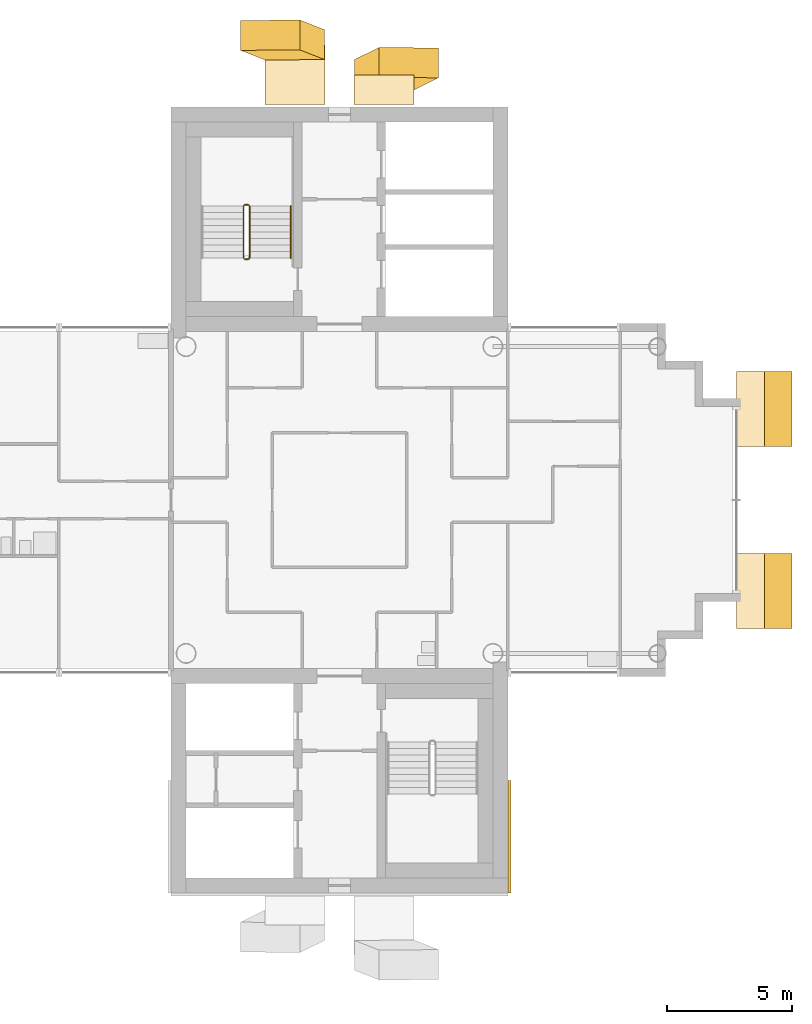
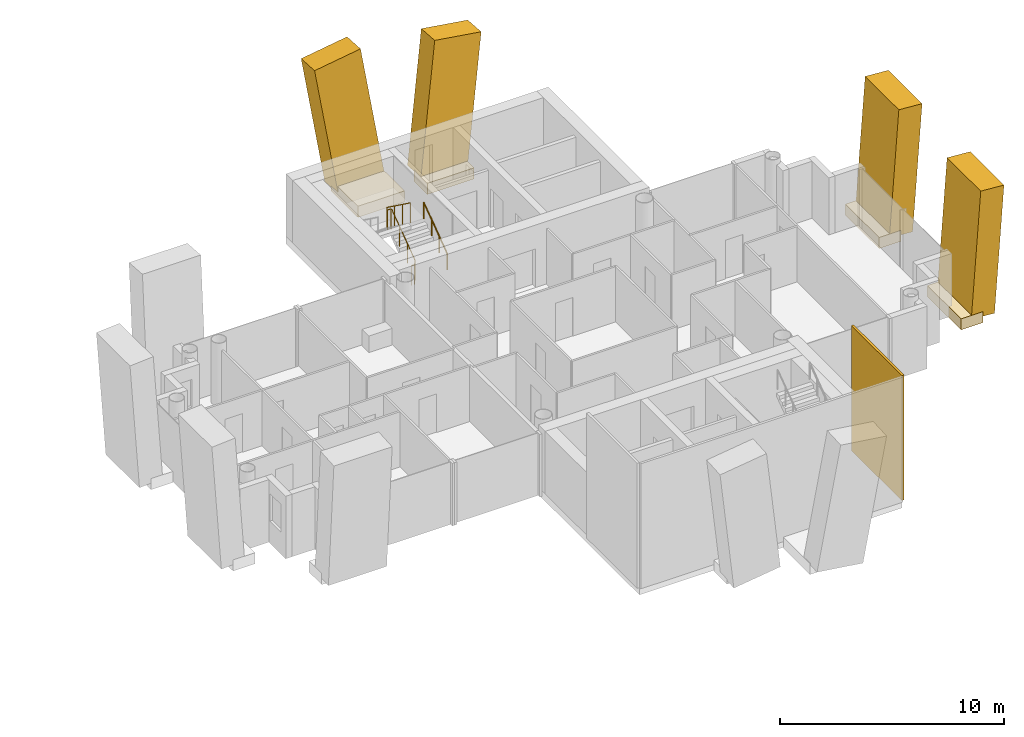
# One storey, part 17 of 18: 9 coverings, 2 railings.
"""IFC4 building model written with IfcOpenShell, lengths in metres."""

from ifc_helpers import new_model, si_unit, direction, frame, origin, origin_2d, place, context, subcontext, project, spatial, rectangle, circle, extrude, material, layer, layer_set, material_profile, profile_set, type_object, element, save


model = new_model("IFC4")

# Units and contexts
model_context = context("Model", 3, precision=1e-05, world=origin(), true_north=direction((0.0, 1.0)))
body_context = subcontext(model_context, "Body", "Model", "MODEL_VIEW")
ifc_project = project(units=[si_unit("LENGTHUNIT", "METRE"), si_unit("AREAUNIT", "SQUARE_METRE"), si_unit("VOLUMEUNIT", "CUBIC_METRE"), si_unit("PLANEANGLEUNIT", "RADIAN"), si_unit("MASSUNIT", "GRAM", prefix="KILO")], contexts=[model_context])

# Site, building, storey
site_placement = place(None, origin())
site = spatial("IfcSite", under=ifc_project, at=site_placement, CompositionType="ELEMENT")
building_placement = place(site_placement, origin())
building = spatial("IfcBuilding", under=site, at=building_placement, Name="Ipe Terrace Towers", CompositionType="ELEMENT")
storey_placement = place(building_placement, frame((0.0, 0.0, 216.39990234375)))
storey = spatial("IfcBuildingStorey", under=building, at=storey_placement, Name="L60", CompositionType="ELEMENT", Elevation=216.39990234375)

# Coverings
ifc_material_1 = material(Name="Concrete C50/60 precast, buff finish", Category="concrete")
ifc_layer = layer(ifc_material_1, 0.1201171875)
ifc_layer_set = layer_set([ifc_layer], Name="STONE CORE CLADDING 120")
covering_type_1 = type_object("IfcCoveringType", Name="STONE CORE CLADDING 120", PredefinedType="CLADDING", material=ifc_layer_set)
covering_1_placement = place(storey_placement, frame((42.81005859375, -13.5, 0.0), z_axis=(0.0, 0.0, 1.0), x_axis=(0.0, 1.0, 0.0)))
element("IfcCovering", 1, at=covering_1_placement, inside=storey, type_object=covering_type_1, Name="stone core cladding", PredefinedType="CLADDING", context=body_context, shape_type="SweptSolid", body=[
    extrude(rectangle(XDim=4.5, YDim=0.1201171875, at=origin_2d()), origin(), (0.0, 0.0, 1.0), 6.800048828125),
])
ifc_material_2 = material(Name="Concrete C50/60 precast, buff finish", Category="concrete")
ifc_material_profile_1 = material_profile(ifc_material_2, rectangle(XDim=2.39990234375, YDim=1.199951171875, at=origin_2d()), Name="STONE FIN 2400 x 1200")
ifc_profile_set_1 = profile_set([ifc_material_profile_1], Name="Concrete C50/60 precast, buff finish")
covering_type_2 = type_object("IfcCoveringType", Name="STONE FIN 2400 x 1200", PredefinedType="USERDEFINED", material=ifc_profile_set_1)
covering_2_placement = place(storey_placement, frame((34.212890625, 18.242919921875, 0.0), z_axis=(-0.144255931819, 0.056219732465, 0.987942087279), x_axis=(-0.989540411572, -0.008195754109, -0.144022926924)))
element("IfcCovering", 2, at=covering_2_placement, inside=storey, type_object=covering_type_2, Name="stone fin", ObjectType="FIN", PredefinedType="USERDEFINED", context=body_context, shape_type="SweptSolid", body=[
    extrude(rectangle(XDim=2.39990234375, YDim=1.199951171875, at=origin_2d()), origin(), (0.0, 0.0, 1.0), 6.883056640625),
])
covering_3_placement = place(storey_placement, frame((37.787109375, 17.04296875, 0.0), z_axis=(0.144122920501, 0.070697129678, 0.987031154342), x_axis=(-0.989559792931, 0.010296575176, 0.143754640806)))
element("IfcCovering", 3, at=covering_3_placement, inside=storey, type_object=covering_type_2, Name="stone fin", ObjectType="FIN", PredefinedType="USERDEFINED", context=body_context, shape_type="SweptSolid", body=[
    extrude(rectangle(XDim=2.39990234375, YDim=1.199951171875, at=origin_2d()), origin(), (0.0, 0.0, 1.0), 6.889404296875),
])
ifc_material_3 = material(Name="Concrete C50/60 precast, buff finish", Category="concrete")
ifc_material_profile_2 = material_profile(ifc_material_3, rectangle(XDim=3.0, YDim=1.199951171875, at=origin_2d()), Name="STONE FIN CORNER 3000 x 1200")
ifc_profile_set_2 = profile_set([ifc_material_profile_2], Name="Concrete C50/60 precast, buff finish")
covering_type_3 = type_object("IfcCoveringType", Name="STONE FIN CORNER 3000 x 1200", PredefinedType="USERDEFINED", material=ifc_profile_set_2)
for number, where, z_axis, x_axis, name in (
    (4, (53.04296875, -3.64990234375, 0.0), (0.07144300949, 0.0, 0.997444683376), (0.0, 1.0, 0.0), "stone fin"),
    (5, (53.04296875, 3.64990234375, 0.0), (0.07144300949, 0.0, 0.997444683376), (0.0, 1.0, 0.0), "stone fin"),
):
    element("IfcCovering", number, at=place(storey_placement, frame(where, z_axis=z_axis, x_axis=x_axis)), inside=storey, type_object=covering_type_3, Name=name, ObjectType="FIN", PredefinedType="USERDEFINED", context=body_context, shape_type="SweptSolid", body=[
        extrude(rectangle(XDim=3.0, YDim=1.199951171875, at=origin_2d()), origin(), (0.0, 0.0, 1.0), 6.8173828125),
    ])
ifc_material_4 = material(Name="Concrete C50/60 precast, buff finish", Category="concrete")
covering_type_4 = type_object("IfcCoveringType", Name="STONE FIN SHELF 2400 x 600", PredefinedType="CLADDING", material=ifc_material_4)
covering_4_placement = place(storey_placement, frame((34.212890625, 17.052001953125, -0.349853515625), z_axis=(0.0, 0.0, 1.0), x_axis=(-1.0, 0.0, 0.0)))
element("IfcCovering", 6, at=covering_4_placement, inside=storey, type_object=covering_type_4, Name="stone fin shelf", PredefinedType="CLADDING", context=body_context, shape_type="SweptSolid", body=[
    extrude(rectangle(XDim=2.39990234375, YDim=2.383056640625, at=origin_2d()), origin(), (0.0, 0.0, 1.0), 0.60009765625),
])
covering_5_placement = place(storey_placement, frame((37.787109375, 16.450927734375, -0.349853515625), z_axis=(0.0, 0.0, 1.0), x_axis=(-1.0, 0.0, 0.0)))
element("IfcCovering", 7, at=covering_5_placement, inside=storey, type_object=covering_type_4, Name="stone fin shelf", PredefinedType="CLADDING", context=body_context, shape_type="SweptSolid", body=[
    extrude(rectangle(XDim=2.39990234375, YDim=1.18310546875, at=origin_2d()), origin(), (0.0, 0.0, 1.0), 0.60009765625),
])
ifc_material_5 = material(Name="Concrete C50/60 precast, buff finish", Category="concrete")
covering_type_5 = type_object("IfcCoveringType", Name="STONE FIN SHELF 3000 x 600", PredefinedType="CLADDING", material=ifc_material_5)
for number, where, z_axis, x_axis, name in (
    (8, (52.47998046875, -3.64990234375, -0.349853515625), (0.0, 0.0, 1.0), (0.0, 1.0, 0.0), "stone fin shelf"),
    (9, (52.47998046875, 3.64990234375, -0.349853515625), (0.0, 0.0, 1.0), (0.0, 1.0, 0.0), "stone fin shelf"),
):
    element("IfcCovering", number, at=place(storey_placement, frame(where, z_axis=z_axis, x_axis=x_axis)), inside=storey, type_object=covering_type_5, Name=name, PredefinedType="CLADDING", context=body_context, shape_type="SweptSolid", body=[
        extrude(rectangle(XDim=3.0, YDim=1.126953125, at=origin_2d()), origin(), (0.0, 0.0, 1.0), 0.60009765625),
    ])

# Railings
ifc_material_6 = material(Name="Steel S355", Category="steel")
railing_type_1 = type_object("IfcRailingType", Name="Stair guard 1100", PredefinedType="GUARDRAIL", material=ifc_material_6)
railing_1_placement = place(storey_placement, frame((32.199951171875, 9.64990234375, 0.0)))
element("IfcRailing", 10, at=railing_1_placement, inside=storey, type_object=railing_type_1, Name="L60 T2-ST1 stair guard 1", PredefinedType="GUARDRAIL", context=body_context, shape_type="SweptSolid", body=[
    extrude(circle(Radius=0.02392578125, at=origin_2d()), frame((0.0, 0.0, 1.076171875), z_axis=(1.0, 0.0, 0.0), x_axis=(0.0, 1.0, 0.0)), (0.0, 0.0, 1.0), 0.150146484375),
    extrude(circle(Radius=0.02392578125, at=origin_2d()), frame((0.150146484375, 0.0, 1.076171875), z_axis=(0.246893586699, 0.248103849378, 0.936743314239), x_axis=(-0.708833529934, 0.705375805398, 0.0)), (0.0, 0.0, 1.0), 0.20166015625),
    extrude(circle(Radius=0.02392578125, at=origin_2d()), frame((0.199951171875, 0.050048828125, 1.26513671875), z_axis=(0.0, 0.809023421508, 0.587776406001), x_axis=(-1.0, 0.0, 0.0)), (0.0, 0.0, 1.0), 2.571044921875),
    extrude(circle(Radius=0.02392578125, at=origin_2d()), frame((0.199951171875, 2.130126953125, 2.7763671875), z_axis=(-0.705375805398, 0.708833529934, 0.0), x_axis=(-0.708833529934, -0.705375805398, 0.0)), (0.0, 0.0, 1.0), 0.070556640625),
    extrude(circle(Radius=0.02392578125, at=origin_2d()), frame((0.150146484375, 2.18017578125, 2.7763671875), z_axis=(-1.0, 0.0, 0.0), x_axis=(0.0, -1.0, 0.0)), (0.0, 0.0, 1.0), 0.150146484375),
    extrude(circle(Radius=0.02392578125, at=origin_2d()), frame((0.0, 2.18017578125, 2.7763671875), z_axis=(-0.248310886586, -0.248310886586, 0.936313733321), x_axis=(0.707106781187, -0.707106781187, 0.0)), (0.0, 0.0, 1.0), 0.20166015625),
    extrude(circle(Radius=0.02392578125, at=origin_2d()), frame((-0.050048828125, 2.130126953125, 2.96484375), z_axis=(0.0, -0.809023421508, 0.587776406001), x_axis=(1.0, 0.0, 0.0)), (0.0, 0.0, 1.0), 2.571044921875),
    extrude(circle(Radius=0.02099609375, at=origin_2d()), origin(), (0.0, 0.0, 1.0), 1.052001953125),
    extrude(circle(Radius=0.02099609375, at=origin_2d()), frame((0.150146484375, 0.0, 0.0)), (0.0, 0.0, 1.0), 1.052001953125),
    extrude(circle(Radius=0.02099609375, at=origin_2d()), frame((0.199951171875, 0.050048828125, 0.18896484375)), (0.0, 0.0, 1.0), 1.052001953125),
    extrude(circle(Radius=0.02099609375, at=origin_2d()), frame((0.199951171875, 0.743408203125, 0.692626953125)), (0.0, 0.0, 1.0), 1.052001953125),
    extrude(circle(Radius=0.02099609375, at=origin_2d()), frame((0.199951171875, 1.436767578125, 1.196533203125)), (0.0, 0.0, 1.0), 1.052001953125),
    extrude(circle(Radius=0.02099609375, at=origin_2d()), frame((0.199951171875, 2.130126953125, 1.7001953125)), (0.0, 0.0, 1.0), 1.052001953125),
    extrude(circle(Radius=0.02099609375, at=origin_2d()), frame((0.150146484375, 2.18017578125, 1.7001953125)), (0.0, 0.0, 1.0), 1.052001953125),
    extrude(circle(Radius=0.02099609375, at=origin_2d()), frame((0.0, 2.18017578125, 1.7001953125)), (0.0, 0.0, 1.0), 1.052001953125),
    extrude(circle(Radius=0.02099609375, at=origin_2d()), frame((-0.050048828125, 2.130126953125, 1.888916015625)), (0.0, 0.0, 1.0), 1.052001953125),
    extrude(circle(Radius=0.02099609375, at=origin_2d()), frame((-0.050048828125, 1.436767578125, 2.392578125)), (0.0, 0.0, 1.0), 1.052001953125),
    extrude(circle(Radius=0.02099609375, at=origin_2d()), frame((-0.050048828125, 0.743408203125, 2.896484375)), (0.0, 0.0, 1.0), 1.052001953125),
    extrude(circle(Radius=0.02099609375, at=origin_2d()), frame((-0.050048828125, 0.050048828125, 3.400146484375)), (0.0, 0.0, 1.0), 1.052001953125),
])
ifc_material_7 = material(Name="Stainless steel grade 304", Category="steel")
railing_type_2 = type_object("IfcRailingType", Name="Stair handrail 900", PredefinedType="HANDRAIL", material=ifc_material_7)
railing_2_placement = place(storey_placement, frame((34.050048828125, 9.699951171875, 0.18896484375)))
element("IfcRailing", 11, at=railing_2_placement, inside=storey, type_object=railing_type_2, Name="L60 T2-ST1 stair handrail 1", PredefinedType="HANDRAIL", context=body_context, shape_type="SweptSolid", body=[
    extrude(circle(Radius=0.02392578125, at=origin_2d()), frame((0.0, 0.0, 0.8759765625), z_axis=(0.0, 0.809023421508, 0.587776406001), x_axis=(-1.0, 0.0, 0.0)), (0.0, 0.0, 1.0), 2.571044921875),
    extrude(circle(Radius=0.02099609375, at=origin_2d()), origin(), (0.0, 0.0, 1.0), 0.851806640625),
    extrude(circle(Radius=0.02099609375, at=origin_2d()), frame((0.0, 0.693359375, 0.503662109375)), (0.0, 0.0, 1.0), 0.851806640625),
    extrude(circle(Radius=0.02099609375, at=origin_2d()), frame((0.0, 1.38671875, 1.007568359375)), (0.0, 0.0, 1.0), 0.851806640625),
    extrude(circle(Radius=0.02099609375, at=origin_2d()), frame((0.0, 2.080078125, 1.51123046875)), (0.0, 0.0, 1.0), 0.851806640625),
])

save(model, "model.ifc")
